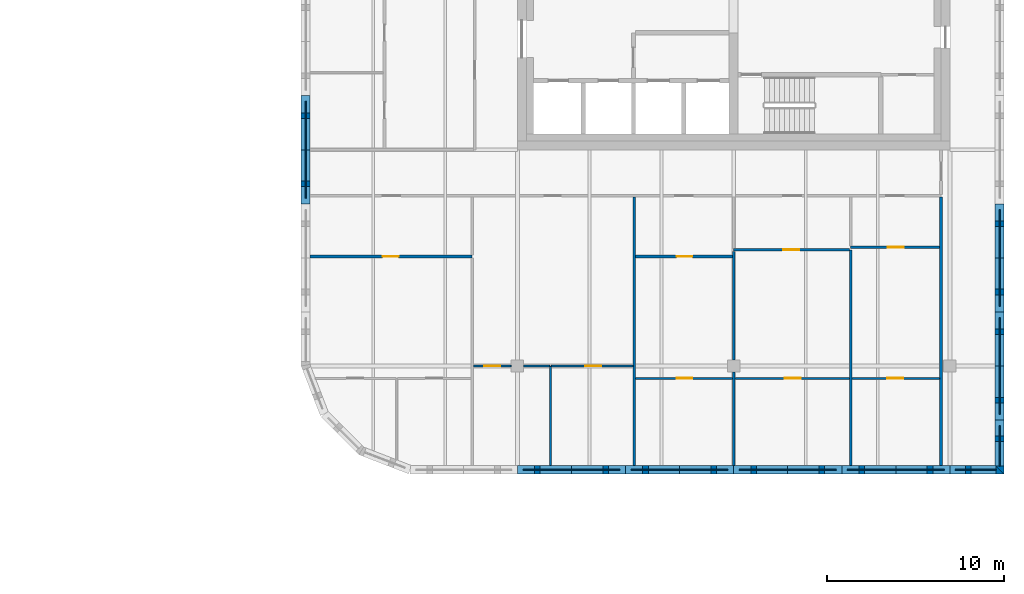
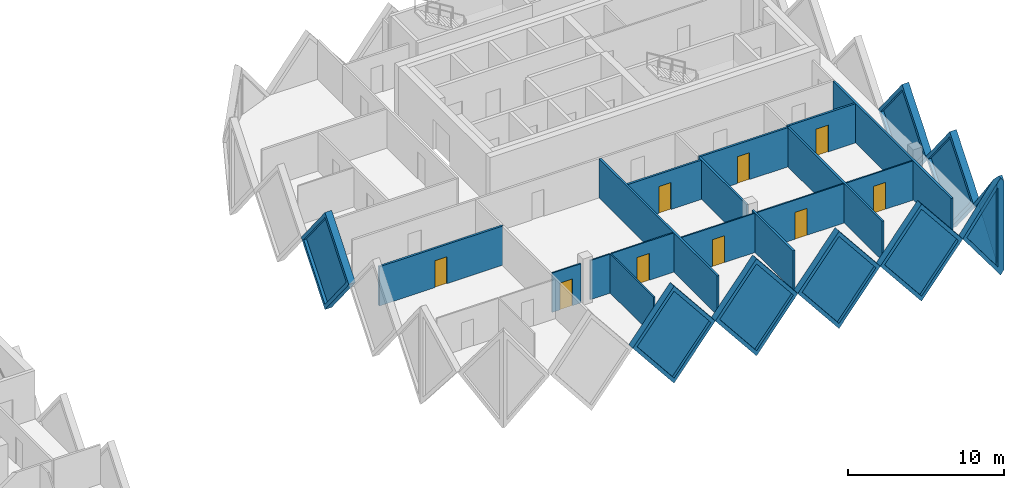
# One storey, part 12 of 18: 25 walls, 9 doors, 9 plates, 18 openings.
"""IFC4 building model written with IfcOpenShell, lengths in metres."""

from ifc_helpers import new_model, si_unit, direction, frame, frame_2d, origin, place, context, subcontext, project, spatial, polyline, rectangle, outline, extrude, faceted_brep, source, transform, mapped, material, layer, layer_set, type_object, element, fill, save


model = new_model("IFC4")

# Units and contexts
model_context = context("Model", 3, precision=1e-05, world=origin(), true_north=direction((0.0, 1.0)))
body_context = subcontext(model_context, "Body", "Model", "MODEL_VIEW")
ifc_project = project(units=[si_unit("LENGTHUNIT", "METRE"), si_unit("AREAUNIT", "SQUARE_METRE"), si_unit("VOLUMEUNIT", "CUBIC_METRE"), si_unit("PLANEANGLEUNIT", "RADIAN"), si_unit("MASSUNIT", "GRAM", prefix="KILO")], contexts=[model_context])

# Site, building, storey
site_placement = place(None, origin())
site = spatial("IfcSite", under=ifc_project, at=site_placement, CompositionType="ELEMENT")
building_placement = place(site_placement, origin())
building = spatial("IfcBuilding", under=site, at=building_placement, Name="Tessera Gate Towers", CompositionType="ELEMENT")
storey_placement = place(building_placement, frame((0.0, 0.0, 99.0)))
storey = spatial("IfcBuildingStorey", under=building, at=storey_placement, Name="L24", CompositionType="ELEMENT", Elevation=99.0)

# Wall
ifc_material_1 = material(Name="Gypsum board on steel studs", Category="steel")
ifc_layer_1 = layer(ifc_material_1, 0.10009765625)
ifc_layer_set_1 = layer_set([ifc_layer_1], Name="PARTITION 100")
wall_type_1 = type_object("IfcWallType", Name="PARTITION 100", PredefinedType="PARTITIONING", material=ifc_layer_set_1)
wall_1_placement = place(storey_placement, frame((99.469970703125, 18.800048828125, 0.0), z_axis=(0.0, 0.0, 1.0), x_axis=(0.0, 1.0, 0.0)))
element("IfcWall", 1, at=wall_1_placement, inside=storey, type_object=wall_type_1, Name="T2-L24-PW-002", PredefinedType="PARTITIONING", context=body_context, shape_type="SweptSolid", body=[
    extrude(rectangle(XDim=5.599853515625, YDim=0.10009765625, at=frame_2d((2.7998046875, 0.0))), origin(), (0.0, 0.0, 1.0), 3.06689453125),
])

# Wall, opening, door
wall_2_placement = place(storey_placement, frame((109.72412109375, 23.699951171875, 0.0), z_axis=(0.0, 0.0, 1.0), x_axis=(-1.0, 0.0, 0.0)))
wall_2 = element("IfcWall", 2, at=wall_2_placement, inside=storey, type_object=wall_type_1, Name="T2-L24-PW-010", PredefinedType="PARTITIONING", context=body_context, shape_type="SweptSolid", body=[
    extrude(rectangle(XDim=5.4482421875, YDim=0.10009765625, at=frame_2d((2.72412109375, 0.0))), origin(), (0.0, 0.0, 1.0), 3.06689453125),
])
shared_shape_1 = source(origin(), body_context, "Body", "SweptSolid", [
    extrude(rectangle(XDim=0.89990234375, YDim=2.10009765625, at=frame_2d((0.449951171875, 1.050048828125))), frame((0.0, 0.06005859375, 0.0), z_axis=(0.0, -1.0, 0.0), x_axis=(1.0, 0.0, 0.0)), (0.0, 0.0, 1.0), 0.1201171875),
])
opening_1_placement = place(wall_2_placement, frame((2.248046875, 0.0, 0.0)))
opening_1 = element("IfcOpeningElement", 3, at=opening_1_placement, cuts=wall_2, Name="Opening D190-B10-10", PredefinedType="OPENING", context=body_context, shape_type="MappedRepresentation", body=[
    mapped(shared_shape_1, transform((0.0, 0.0, 0.0), scale=1.0)),
])
ifc_material_2 = material(Name="Timber door leaf in steel frame", Category="steel")
door_type = type_object("IfcDoorType", Name="INTERNAL DOOR 900 NOT RATED", OperationType="NOTDEFINED", PredefinedType="DOOR", material=ifc_material_2)
shared_shape_2 = source(origin(), body_context, "Body", "SweptSolid", [
    extrude(rectangle(XDim=0.89990234375, YDim=2.10009765625, at=frame_2d((0.449951171875, 1.050048828125))), frame((0.0, 0.02490234375, 0.0), z_axis=(0.0, -1.0, 0.0), x_axis=(1.0, 0.0, 0.0)), (0.0, 0.0, 1.0), 0.050048828125),
])
door_1_placement = place(opening_1_placement, origin())
door_1 = element("IfcDoor", 4, at=door_1_placement, inside=storey, type_object=door_type, Name="T2-L24-PD-012", OperationType="SINGLE_SWING_RIGHT", OverallHeight=2.10009765625, OverallWidth=0.89990234375, PredefinedType="DOOR", context=body_context, shape_type="MappedRepresentation", body=[
    mapped(shared_shape_2, transform((0.0, 0.0, 0.0), scale=1.0)),
])
fill(opening_1, door_1)

wall_3_placement = place(storey_placement, frame((116.323974609375, 23.699951171875, 0.0), z_axis=(0.0, 0.0, 1.0), x_axis=(-1.0, 0.0, 0.0)))
wall_3 = element("IfcWall", 5, at=wall_3_placement, inside=storey, type_object=wall_type_1, Name="T2-L24-PW-011", PredefinedType="PARTITIONING", context=body_context, shape_type="SweptSolid", body=[
    extrude(rectangle(XDim=6.447998046875, YDim=0.10009765625, at=frame_2d((3.22412109375, 0.0))), origin(), (0.0, 0.0, 1.0), 3.06689453125),
])
opening_2_placement = place(wall_3_placement, frame((2.748046875, 0.0, 0.0)))
opening_2 = element("IfcOpeningElement", 6, at=opening_2_placement, cuts=wall_3, Name="Opening D190-B10-11", PredefinedType="OPENING", context=body_context, shape_type="MappedRepresentation", body=[
    mapped(shared_shape_1, transform((0.0, 0.0, 0.0), scale=1.0)),
])
door_2_placement = place(opening_2_placement, origin())
door_2 = element("IfcDoor", 7, at=door_2_placement, inside=storey, type_object=door_type, Name="T2-L24-PD-015", OperationType="SINGLE_SWING_RIGHT", OverallHeight=2.10009765625, OverallWidth=0.89990234375, PredefinedType="DOOR", context=body_context, shape_type="MappedRepresentation", body=[
    mapped(shared_shape_2, transform((0.0, 0.0, 0.0), scale=1.0)),
])
fill(opening_2, door_2)

wall_4_placement = place(storey_placement, frame((121.424072265625, 23.699951171875, 0.0), z_axis=(0.0, 0.0, 1.0), x_axis=(-1.0, 0.0, 0.0)))
wall_4 = element("IfcWall", 8, at=wall_4_placement, inside=storey, type_object=wall_type_1, Name="T2-L24-PW-012", PredefinedType="PARTITIONING", context=body_context, shape_type="SweptSolid", body=[
    extrude(rectangle(XDim=4.947998046875, YDim=0.10009765625, at=frame_2d((2.47412109375, 0.0))), origin(), (0.0, 0.0, 1.0), 3.06689453125),
])
opening_3_placement = place(wall_4_placement, frame((2.048095703125, 0.0, 0.0)))
opening_3 = element("IfcOpeningElement", 9, at=opening_3_placement, cuts=wall_4, Name="Opening D190-B10-07", PredefinedType="OPENING", context=body_context, shape_type="MappedRepresentation", body=[
    mapped(shared_shape_1, transform((0.0, 0.0, 0.0), scale=1.0)),
])
door_3_placement = place(opening_3_placement, origin())
door_3 = element("IfcDoor", 10, at=door_3_placement, inside=storey, type_object=door_type, Name="T2-L24-PD-008", OperationType="SINGLE_SWING_RIGHT", OverallHeight=2.10009765625, OverallWidth=0.89990234375, PredefinedType="DOOR", context=body_context, shape_type="MappedRepresentation", body=[
    mapped(shared_shape_2, transform((0.0, 0.0, 0.0), scale=1.0)),
])
fill(opening_3, door_3)

wall_5_placement = place(storey_placement, frame((97.2490234375, 24.39990234375, 0.0), z_axis=(0.0, 0.0, 1.0), x_axis=(-1.0, 0.0, 0.0)))
wall_5 = element("IfcWall", 11, at=wall_5_placement, inside=storey, type_object=wall_type_1, Name="T2-L24-PW-013", PredefinedType="PARTITIONING", context=body_context, shape_type="SweptSolid", body=[
    extrude(rectangle(XDim=2.123046875, YDim=0.10009765625, at=frame_2d((1.0615234375, 0.0))), origin(), (0.0, 0.0, 1.0), 3.06689453125),
])
opening_4_placement = place(wall_5_placement, frame((0.623046875, 0.0, 0.0)))
opening_4 = element("IfcOpeningElement", 12, at=opening_4_placement, cuts=wall_5, Name="Opening D190-B10-01", PredefinedType="OPENING", context=body_context, shape_type="MappedRepresentation", body=[
    mapped(shared_shape_1, transform((0.0, 0.0, 0.0), scale=1.0)),
])
door_4_placement = place(opening_4_placement, origin())
door_4 = element("IfcDoor", 13, at=door_4_placement, inside=storey, type_object=door_type, Name="T2-L24-PD-001", OperationType="SINGLE_SWING_RIGHT", OverallHeight=2.10009765625, OverallWidth=0.89990234375, PredefinedType="DOOR", context=body_context, shape_type="MappedRepresentation", body=[
    mapped(shared_shape_2, transform((0.0, 0.0, 0.0), scale=1.0)),
])
fill(opening_4, door_4)

# Wall
wall_6_placement = place(storey_placement, frame((97.950927734375, 24.39990234375, 0.0), z_axis=(0.0, 0.0, 1.0), x_axis=(1.0, 0.0, 0.0)))
element("IfcWall", 14, at=wall_6_placement, inside=storey, type_object=wall_type_1, Name="T2-L24-PW-014", PredefinedType="PARTITIONING", context=body_context, shape_type="SweptSolid", body=[
    extrude(rectangle(XDim=1.46826171875, YDim=0.10009765625, at=frame_2d((0.734130859375, 0.0))), origin(), (0.0, 0.0, 1.0), 3.06689453125),
])

# Wall, opening, door
wall_7_placement = place(storey_placement, frame((104.1240234375, 24.39990234375, 0.0), z_axis=(0.0, 0.0, 1.0), x_axis=(-1.0, 0.0, 0.0)))
wall_7 = element("IfcWall", 15, at=wall_7_placement, inside=storey, type_object=wall_type_1, Name="T2-L24-PW-015", PredefinedType="PARTITIONING", context=body_context, shape_type="SweptSolid", body=[
    extrude(rectangle(XDim=4.602783203125, YDim=0.10009765625, at=frame_2d((2.30126953125, 0.0))), origin(), (0.0, 0.0, 1.0), 3.06689453125),
])
opening_5_placement = place(wall_7_placement, frame((1.802734375, 0.0, 0.0)))
opening_5 = element("IfcOpeningElement", 16, at=opening_5_placement, cuts=wall_7, Name="Opening D190-B10-06", PredefinedType="OPENING", context=body_context, shape_type="MappedRepresentation", body=[
    mapped(shared_shape_1, transform((0.0, 0.0, 0.0), scale=1.0)),
])
door_5_placement = place(opening_5_placement, origin())
door_5 = element("IfcDoor", 17, at=door_5_placement, inside=storey, type_object=door_type, Name="T2-L24-PD-006", OperationType="SINGLE_SWING_RIGHT", OverallHeight=2.10009765625, OverallWidth=0.89990234375, PredefinedType="DOOR", context=body_context, shape_type="MappedRepresentation", body=[
    mapped(shared_shape_2, transform((0.0, 0.0, 0.0), scale=1.0)),
])
fill(opening_5, door_5)

# Walls
ifc_material_3 = material(Name="Gypsum board on steel studs, mineral wool", Category="steel")
ifc_layer_2 = layer(ifc_material_3, 0.14990234375)
ifc_layer_set_2 = layer_set([ifc_layer_2], Name="TENANCY WALL 150")
wall_type_2 = type_object("IfcWallType", Name="TENANCY WALL 150", PredefinedType="PARTITIONING", material=ifc_layer_set_2)
wall_8_placement = place(storey_placement, frame((104.199951171875, 18.800048828125, 0.0), z_axis=(0.0, 0.0, 1.0), x_axis=(0.0, 1.0, 0.0)))
element("IfcWall", 18, at=wall_8_placement, inside=storey, type_object=wall_type_2, Name="T2-L24-PW-003", PredefinedType="PARTITIONING", context=body_context, shape_type="SweptSolid", body=[
    extrude(rectangle(XDim=15.1240234375, YDim=0.14990234375, at=frame_2d((7.56201171875, 0.0))), origin(), (0.0, 0.0, 1.0), 3.06689453125),
])
wall_9_placement = place(storey_placement, frame((109.800048828125, 18.800048828125, 0.0), z_axis=(0.0, 0.0, 1.0), x_axis=(0.0, 1.0, 0.0)))
element("IfcWall", 19, at=wall_9_placement, inside=storey, type_object=wall_type_2, Name="T2-L24-PW-004", PredefinedType="PARTITIONING", context=body_context, shape_type="SweptSolid", body=[
    extrude(rectangle(XDim=5.2490234375, YDim=0.14990234375, at=frame_2d((2.62451171875, 0.0))), origin(), (0.0, 0.0, 1.0), 3.06689453125),
])
wall_10_placement = place(storey_placement, frame((116.39990234375, 18.800048828125, 0.0), z_axis=(0.0, 0.0, 1.0), x_axis=(0.0, 1.0, 0.0)))
element("IfcWall", 20, at=wall_10_placement, inside=storey, type_object=wall_type_2, Name="T2-L24-PW-005", PredefinedType="PARTITIONING", context=body_context, shape_type="SweptSolid", body=[
    extrude(rectangle(XDim=12.14990234375, YDim=0.14990234375, at=frame_2d((6.074951171875, 0.0))), origin(), (0.0, 0.0, 1.0), 3.06689453125),
])
wall_11_placement = place(storey_placement, frame((121.5, 18.800048828125, 0.0), z_axis=(0.0, 0.0, 1.0), x_axis=(0.0, 1.0, 0.0)))
element("IfcWall", 21, at=wall_11_placement, inside=storey, type_object=wall_type_2, Name="T2-L24-PW-006", PredefinedType="PARTITIONING", context=body_context, shape_type="SweptSolid", body=[
    extrude(rectangle(XDim=15.1240234375, YDim=0.14990234375, at=frame_2d((7.56201171875, 0.0))), origin(), (0.0, 0.0, 1.0), 3.06689453125),
])
wall_12_placement = place(storey_placement, frame((109.800048828125, 24.7509765625, 0.0), z_axis=(0.0, 0.0, 1.0), x_axis=(0.0, 1.0, 0.0)))
element("IfcWall", 22, at=wall_12_placement, inside=storey, type_object=wall_type_2, Name="T2-L24-PW-016", PredefinedType="PARTITIONING", context=body_context, shape_type="SweptSolid", body=[
    extrude(rectangle(XDim=6.123046875, YDim=0.14990234375, at=frame_2d((3.0615234375, 0.0))), origin(), (0.0, 0.0, 1.0), 3.06689453125),
])

# Wall, opening, door
wall_13_placement = place(storey_placement, frame((95.050048828125, 30.574951171875, 0.0), z_axis=(0.0, 0.0, 1.0), x_axis=(-1.0, 0.0, 0.0)))
wall_13 = element("IfcWall", 23, at=wall_13_placement, inside=storey, type_object=wall_type_2, Name="T2-L24-PW-017", PredefinedType="PARTITIONING", context=body_context, shape_type="SweptSolid", body=[
    extrude(rectangle(XDim=9.150146484375, YDim=0.14990234375, at=frame_2d((4.5751953125, 0.0))), origin(), (0.0, 0.0, 1.0), 3.06689453125),
])
shared_shape_3 = source(origin(), body_context, "Body", "SweptSolid", [
    extrude(rectangle(XDim=0.89990234375, YDim=2.10009765625, at=frame_2d((0.449951171875, 1.050048828125))), frame((0.0, 0.0849609375, 0.0), z_axis=(0.0, -1.0, 0.0), x_axis=(1.0, 0.0, 0.0)), (0.0, 0.0, 1.0), 0.169921875),
])
opening_6_placement = place(wall_13_placement, frame((4.14990234375, 0.0, 0.0)))
opening_6 = element("IfcOpeningElement", 24, at=opening_6_placement, cuts=wall_13, Name="Opening D190-B10-13", PredefinedType="OPENING", context=body_context, shape_type="MappedRepresentation", body=[
    mapped(shared_shape_3, transform((0.0, 0.0, 0.0), scale=1.0)),
])
door_6_placement = place(opening_6_placement, origin())
door_6 = element("IfcDoor", 25, at=door_6_placement, inside=storey, type_object=door_type, Name="T2-L24-PD-019", OperationType="SINGLE_SWING_RIGHT", OverallHeight=2.10009765625, OverallWidth=0.89990234375, PredefinedType="DOOR", context=body_context, shape_type="MappedRepresentation", body=[
    mapped(shared_shape_2, transform((0.0, 0.0, 0.0), scale=1.0)),
])
fill(opening_6, door_6)

wall_14_placement = place(storey_placement, frame((109.72412109375, 30.574951171875, 0.0), z_axis=(0.0, 0.0, 1.0), x_axis=(-1.0, 0.0, 0.0)))
wall_14 = element("IfcWall", 26, at=wall_14_placement, inside=storey, type_object=wall_type_2, Name="T2-L24-PW-018", PredefinedType="PARTITIONING", context=body_context, shape_type="SweptSolid", body=[
    extrude(rectangle(XDim=5.4482421875, YDim=0.14990234375, at=frame_2d((2.72412109375, 0.0))), origin(), (0.0, 0.0, 1.0), 3.06689453125),
])
opening_7_placement = place(wall_14_placement, frame((2.248046875, 0.0, 0.0)))
opening_7 = element("IfcOpeningElement", 27, at=opening_7_placement, cuts=wall_14, Name="Opening D190-B10-09", PredefinedType="OPENING", context=body_context, shape_type="MappedRepresentation", body=[
    mapped(shared_shape_3, transform((0.0, 0.0, 0.0), scale=1.0)),
])
door_7_placement = place(opening_7_placement, origin())
door_7 = element("IfcDoor", 28, at=door_7_placement, inside=storey, type_object=door_type, Name="T2-L24-PD-011", OperationType="SINGLE_SWING_RIGHT", OverallHeight=2.10009765625, OverallWidth=0.89990234375, PredefinedType="DOOR", context=body_context, shape_type="MappedRepresentation", body=[
    mapped(shared_shape_2, transform((0.0, 0.0, 0.0), scale=1.0)),
])
fill(opening_7, door_7)

wall_15_placement = place(storey_placement, frame((116.323974609375, 30.949951171875, 0.0), z_axis=(0.0, 0.0, 1.0), x_axis=(-1.0, 0.0, 0.0)))
wall_15 = element("IfcWall", 29, at=wall_15_placement, inside=storey, type_object=wall_type_2, Name="T2-L24-PW-020", PredefinedType="PARTITIONING", context=body_context, shape_type="SweptSolid", body=[
    extrude(rectangle(XDim=6.52392578125, YDim=0.14990234375, at=frame_2d((3.261962890625, 0.0))), origin(), (0.0, 0.0, 1.0), 3.06689453125),
])
opening_8_placement = place(wall_15_placement, frame((2.823974609375, 0.0, 0.0)))
opening_8 = element("IfcOpeningElement", 30, at=opening_8_placement, cuts=wall_15, Name="Opening D190-B10-12", PredefinedType="OPENING", context=body_context, shape_type="MappedRepresentation", body=[
    mapped(shared_shape_3, transform((0.0, 0.0, 0.0), scale=1.0)),
])
door_8_placement = place(opening_8_placement, origin())
door_8 = element("IfcDoor", 31, at=door_8_placement, inside=storey, type_object=door_type, Name="T2-L24-PD-016", OperationType="SINGLE_SWING_RIGHT", OverallHeight=2.10009765625, OverallWidth=0.89990234375, PredefinedType="DOOR", context=body_context, shape_type="MappedRepresentation", body=[
    mapped(shared_shape_2, transform((0.0, 0.0, 0.0), scale=1.0)),
])
fill(opening_8, door_8)

wall_16_placement = place(storey_placement, frame((121.424072265625, 31.10009765625, 0.0), z_axis=(0.0, 0.0, 1.0), x_axis=(-1.0, 0.0, 0.0)))
wall_16 = element("IfcWall", 32, at=wall_16_placement, inside=storey, type_object=wall_type_2, Name="T2-L24-PW-022", PredefinedType="PARTITIONING", context=body_context, shape_type="SweptSolid", body=[
    extrude(rectangle(XDim=5.024169921875, YDim=0.14990234375, at=frame_2d((2.51220703125, 0.0))), origin(), (0.0, 0.0, 1.0), 3.06689453125),
])
opening_9_placement = place(wall_16_placement, frame((2.02392578125, 0.0, 0.0)))
opening_9 = element("IfcOpeningElement", 33, at=opening_9_placement, cuts=wall_16, Name="Opening D190-B10-08", PredefinedType="OPENING", context=body_context, shape_type="MappedRepresentation", body=[
    mapped(shared_shape_3, transform((0.0, 0.0, 0.0), scale=1.0)),
])
door_9_placement = place(opening_9_placement, origin())
door_9 = element("IfcDoor", 34, at=door_9_placement, inside=storey, type_object=door_type, Name="T2-L24-PD-009", OperationType="SINGLE_SWING_RIGHT", OverallHeight=2.10009765625, OverallWidth=0.89990234375, PredefinedType="DOOR", context=body_context, shape_type="MappedRepresentation", body=[
    mapped(shared_shape_2, transform((0.0, 0.0, 0.0), scale=1.0)),
])
fill(opening_9, door_9)

# Wall, opening, plate
ifc_material_4 = material(Name="Precast concrete C60/75 white", Category="concrete")
ifc_layer_3 = layer(ifc_material_4, 0.5)
ifc_layer_set_3 = layer_set([ifc_layer_3], Name="TS1 tessera")
wall_type_3 = type_object("IfcWallType", Name="TS1 tessera", PredefinedType="SOLIDWALL", material=ifc_layer_set_3)
shared_shape_4 = source(origin(), body_context, "Body", "Brep", [
    faceted_brep([(3.050048828125, -0.25, 0.0), (6.099853515625, -0.25, 3.7998046875), (6.099853515625, -0.25, 3.80029296875), (3.050048828125, -0.25, 7.60009765625), (0.0, -0.25, 3.800048828125), (0.0, 0.25, 3.800048828125), (3.050048828125, 0.25, 7.60009765625), (6.099853515625, 0.25, 3.80029296875), (6.099853515625, 0.25, 3.7998046875), (3.050048828125, 0.25, 0.0)], [[[0, 1, 2, 3, 4]], [[5, 6, 7, 8, 9]], [[9, 8, 1, 0]], [[7, 6, 3, 2]], [[6, 5, 4, 3]], [[5, 9, 0, 4]], [[1, 8, 7, 2]]]),
])
wall_17_placement = place(storey_placement, frame((97.60009765625, 18.550048828125, -3.800048828125), z_axis=(0.0, 0.0, 1.0), x_axis=(1.0, 0.0, 0.0)))
wall_17 = element("IfcWall", 35, at=wall_17_placement, inside=storey, type_object=wall_type_3, Name="Precast tessera T2 TS1-0289", PredefinedType="SOLIDWALL", context=body_context, shape_type="MappedRepresentation", body=[
    mapped(shared_shape_4, transform((0.0, 0.0, 0.0), scale=1.0)),
])
shared_shape_5 = source(origin(), body_context, "Body", "SweptSolid", [
    extrude(outline(polyline([(3.050048828125, 0.3994140625), (5.779541015625, 3.800048828125), (3.050048828125, 7.20068359375), (0.320556640625, 3.800048828125), (3.050048828125, 0.3994140625)])), frame((0.0, 0.260009765625, 0.0), z_axis=(0.0, -1.0, 0.0), x_axis=(1.0, 0.0, 0.0)), (0.0, 0.0, 1.0), 0.52001953125),
])
opening_10_placement = place(wall_17_placement, origin())
opening_10 = element("IfcOpeningElement", 36, at=opening_10_placement, cuts=wall_17, Name="Opening T2-PL2-0545", PredefinedType="OPENING", context=body_context, shape_type="MappedRepresentation", body=[
    mapped(shared_shape_5, transform((0.0, 0.0, 0.0), scale=1.0)),
])
ifc_material_5 = material(Name="Low-e laminated glass", Category="glass")
ifc_layer_4 = layer(ifc_material_5, 0.06005859375)
ifc_layer_set_4 = layer_set([ifc_layer_4], Name="PL2 rhombic pane")
plate_type = type_object("IfcPlateType", Name="PL2 rhombic pane", PredefinedType="SHEET", material=ifc_layer_set_4)
shared_shape_6 = source(origin(), body_context, "Body", "SweptSolid", [
    extrude(outline(polyline([(3.050048828125, 0.3994140625), (5.779541015625, 3.800048828125), (3.050048828125, 7.20068359375), (0.320556640625, 3.800048828125), (3.050048828125, 0.3994140625)])), frame((0.0, 0.030029296875, 0.0), z_axis=(0.0, -1.0, 0.0), x_axis=(1.0, 0.0, 0.0)), (0.0, 0.0, 1.0), 0.06005859375),
])
plate_1_placement = place(opening_10_placement, origin())
plate_1 = element("IfcPlate", 37, at=plate_1_placement, inside=storey, type_object=plate_type, Name="Glass pane T2 PL2-0545", PredefinedType="SHEET", context=body_context, shape_type="MappedRepresentation", body=[
    mapped(shared_shape_6, transform((0.0, 0.0, 0.0), scale=1.0)),
])
fill(opening_10, plate_1)

wall_18_placement = place(storey_placement, frame((109.800048828125, 18.550048828125, -3.800048828125), z_axis=(0.0, 0.0, 1.0), x_axis=(1.0, 0.0, 0.0)))
wall_18 = element("IfcWall", 38, at=wall_18_placement, inside=storey, type_object=wall_type_3, Name="Precast tessera T2 TS1-0291", PredefinedType="SOLIDWALL", context=body_context, shape_type="MappedRepresentation", body=[
    mapped(shared_shape_4, transform((0.0, 0.0, 0.0), scale=1.0)),
])
opening_11_placement = place(wall_18_placement, origin())
opening_11 = element("IfcOpeningElement", 39, at=opening_11_placement, cuts=wall_18, Name="Opening T2-PL2-0547", PredefinedType="OPENING", context=body_context, shape_type="MappedRepresentation", body=[
    mapped(shared_shape_5, transform((0.0, 0.0, 0.0), scale=1.0)),
])
plate_2_placement = place(opening_11_placement, origin())
plate_2 = element("IfcPlate", 40, at=plate_2_placement, inside=storey, type_object=plate_type, Name="Glass pane T2 PL2-0547", PredefinedType="SHEET", context=body_context, shape_type="MappedRepresentation", body=[
    mapped(shared_shape_6, transform((0.0, 0.0, 0.0), scale=1.0)),
])
fill(opening_11, plate_2)

wall_19_placement = place(storey_placement, frame((124.800048828125, 21.35009765625, -3.800048828125), z_axis=(0.0, 0.0, 1.0), x_axis=(0.0, 1.0, 0.0)))
wall_19 = element("IfcWall", 41, at=wall_19_placement, inside=storey, type_object=wall_type_3, Name="Precast tessera T2 TS1-0293", PredefinedType="SOLIDWALL", context=body_context, shape_type="MappedRepresentation", body=[
    mapped(shared_shape_4, transform((0.0, 0.0, 0.0), scale=1.0)),
])
opening_12_placement = place(wall_19_placement, origin())
opening_12 = element("IfcOpeningElement", 42, at=opening_12_placement, cuts=wall_19, Name="Opening T2-PL2-0551", PredefinedType="OPENING", context=body_context, shape_type="MappedRepresentation", body=[
    mapped(shared_shape_5, transform((0.0, 0.0, 0.0), scale=1.0)),
])
plate_3_placement = place(opening_12_placement, origin())
plate_3 = element("IfcPlate", 43, at=plate_3_placement, inside=storey, type_object=plate_type, Name="Glass pane T2 PL2-0551", PredefinedType="SHEET", context=body_context, shape_type="MappedRepresentation", body=[
    mapped(shared_shape_6, transform((0.0, 0.0, 0.0), scale=1.0)),
])
fill(opening_12, plate_3)

wall_20_placement = place(storey_placement, frame((85.64990234375, 39.64990234375, -3.800048828125), z_axis=(0.0, 0.0, 1.0), x_axis=(0.0, -1.0, 0.0)))
wall_20 = element("IfcWall", 44, at=wall_20_placement, inside=storey, type_object=wall_type_3, Name="Precast tessera T2 TS1-0304", PredefinedType="SOLIDWALL", context=body_context, shape_type="MappedRepresentation", body=[
    mapped(shared_shape_4, transform((0.0, 0.0, 0.0), scale=1.0)),
])
opening_13_placement = place(wall_20_placement, origin())
opening_13 = element("IfcOpeningElement", 45, at=opening_13_placement, cuts=wall_20, Name="Opening T2-PL2-0568", PredefinedType="OPENING", context=body_context, shape_type="MappedRepresentation", body=[
    mapped(shared_shape_5, transform((0.0, 0.0, 0.0), scale=1.0)),
])
plate_4_placement = place(opening_13_placement, origin())
plate_4 = element("IfcPlate", 46, at=plate_4_placement, inside=storey, type_object=plate_type, Name="Glass pane T2 PL2-0568", PredefinedType="SHEET", context=body_context, shape_type="MappedRepresentation", body=[
    mapped(shared_shape_6, transform((0.0, 0.0, 0.0), scale=1.0)),
])
fill(opening_13, plate_4)

shared_shape_7 = source(origin(), body_context, "Body", "SweptSolid", [
    extrude(outline(polyline([(3.050048828125, 0.0), (6.10009765625, 3.800048828125), (3.050048828125, 7.60009765625), (0.0, 3.800048828125), (3.050048828125, 0.0)])), frame((0.0, 0.25, 0.0), z_axis=(0.0, -1.0, 0.0), x_axis=(1.0, 0.0, 0.0)), (0.0, 0.0, 1.0), 0.5),
])
wall_21_placement = place(storey_placement, frame((103.699951171875, 18.550048828125, -3.800048828125), z_axis=(0.0, 0.0, 1.0), x_axis=(1.0, 0.0, 0.0)))
wall_21 = element("IfcWall", 47, at=wall_21_placement, inside=storey, type_object=wall_type_3, Name="Precast tessera T2 TS1-0290", PredefinedType="SOLIDWALL", context=body_context, shape_type="MappedRepresentation", body=[
    mapped(shared_shape_7, transform((0.0, 0.0, 0.0), scale=1.0)),
])
opening_14_placement = place(wall_21_placement, origin())
opening_14 = element("IfcOpeningElement", 48, at=opening_14_placement, cuts=wall_21, Name="Opening T2-PL2-0546", PredefinedType="OPENING", context=body_context, shape_type="MappedRepresentation", body=[
    mapped(shared_shape_5, transform((0.0, 0.0, 0.0), scale=1.0)),
])
plate_5_placement = place(opening_14_placement, origin())
plate_5 = element("IfcPlate", 49, at=plate_5_placement, inside=storey, type_object=plate_type, Name="Glass pane T2 PL2-0546", PredefinedType="SHEET", context=body_context, shape_type="MappedRepresentation", body=[
    mapped(shared_shape_6, transform((0.0, 0.0, 0.0), scale=1.0)),
])
fill(opening_14, plate_5)

wall_22_placement = place(storey_placement, frame((115.89990234375, 18.550048828125, -3.800048828125), z_axis=(0.0, 0.0, 1.0), x_axis=(1.0, 0.0, 0.0)))
wall_22 = element("IfcWall", 50, at=wall_22_placement, inside=storey, type_object=wall_type_3, Name="Precast tessera T2 TS1-0292", PredefinedType="SOLIDWALL", context=body_context, shape_type="MappedRepresentation", body=[
    mapped(shared_shape_7, transform((0.0, 0.0, 0.0), scale=1.0)),
])
opening_15_placement = place(wall_22_placement, origin())
opening_15 = element("IfcOpeningElement", 51, at=opening_15_placement, cuts=wall_22, Name="Opening T2-PL2-0548", PredefinedType="OPENING", context=body_context, shape_type="MappedRepresentation", body=[
    mapped(shared_shape_5, transform((0.0, 0.0, 0.0), scale=1.0)),
])
plate_6_placement = place(opening_15_placement, origin())
plate_6 = element("IfcPlate", 52, at=plate_6_placement, inside=storey, type_object=plate_type, Name="Glass pane T2 PL2-0548", PredefinedType="SHEET", context=body_context, shape_type="MappedRepresentation", body=[
    mapped(shared_shape_6, transform((0.0, 0.0, 0.0), scale=1.0)),
])
fill(opening_15, plate_6)

wall_23_placement = place(storey_placement, frame((124.800048828125, 27.449951171875, -3.800048828125), z_axis=(0.0, 0.0, 1.0), x_axis=(0.0, 1.0, 0.0)))
wall_23 = element("IfcWall", 53, at=wall_23_placement, inside=storey, type_object=wall_type_3, Name="Precast tessera T2 TS1-0294", PredefinedType="SOLIDWALL", context=body_context, shape_type="MappedRepresentation", body=[
    mapped(shared_shape_7, transform((0.0, 0.0, 0.0), scale=1.0)),
])
opening_16_placement = place(wall_23_placement, origin())
opening_16 = element("IfcOpeningElement", 54, at=opening_16_placement, cuts=wall_23, Name="Opening T2-PL2-0552", PredefinedType="OPENING", context=body_context, shape_type="MappedRepresentation", body=[
    mapped(shared_shape_5, transform((0.0, 0.0, 0.0), scale=1.0)),
])
plate_7_placement = place(opening_16_placement, origin())
plate_7 = element("IfcPlate", 55, at=plate_7_placement, inside=storey, type_object=plate_type, Name="Glass pane T2 PL2-0552", PredefinedType="SHEET", context=body_context, shape_type="MappedRepresentation", body=[
    mapped(shared_shape_6, transform((0.0, 0.0, 0.0), scale=1.0)),
])
fill(opening_16, plate_7)

ifc_material_6 = material(Name="Precast concrete C60/75 white", Category="concrete")
ifc_layer_5 = layer(ifc_material_6, 0.5)
ifc_layer_set_5 = layer_set([ifc_layer_5], Name="TS3 corner tessera")
wall_type_4 = type_object("IfcWallType", Name="TS3 corner tessera", PredefinedType="SOLIDWALL", material=ifc_layer_set_5)
shared_shape_8 = source(origin(), body_context, "Body", "Brep", [
    faceted_brep([(2.800048828125, -0.25, 0.0), (3.050048828125, -0.25, 0.339111328125), (3.050048828125, -0.25, 7.260986328125), (2.800048828125, -0.25, 7.60009765625), (0.0, -0.25, 3.800048828125), (0.0, 0.25, 3.800048828125), (2.550048828125, 0.25, 7.2607421875), (2.550048828125, 0.25, 0.33935546875), (2.800048828125, 0.0, 0.0), (2.800048828125, 0.0, 7.60009765625)], [[[0, 1, 2, 3, 4]], [[5, 6, 7]], [[1, 0, 8]], [[9, 3, 2]], [[6, 5, 4, 3, 9]], [[5, 7, 8, 0, 4]], [[1, 8, 7, 6, 9, 2]]]),
])
wall_24_placement = place(storey_placement, frame((122.0, 18.550048828125, -3.800048828125), z_axis=(0.0, 0.0, 1.0), x_axis=(1.0, 0.0, 0.0)))
wall_24 = element("IfcWall", 56, at=wall_24_placement, inside=storey, type_object=wall_type_4, Name="Precast corner tessera T2 TS3-0361", PredefinedType="SOLIDWALL", context=body_context, shape_type="MappedRepresentation", body=[
    mapped(shared_shape_8, transform((0.0, 0.0, 0.0), scale=1.0)),
])
shared_shape_9 = source(origin(), body_context, "Body", "SweptSolid", [
    extrude(outline(polyline([(2.60009765625, 6.9072265625), (0.310546875, 3.800048828125), (2.60009765625, 0.69287109375), (2.60009765625, 6.9072265625)])), frame((0.0, 0.260009765625, 0.0), z_axis=(0.0, -1.0, 0.0), x_axis=(1.0, 0.0, 0.0)), (0.0, 0.0, 1.0), 0.52001953125),
])
opening_17_placement = place(wall_24_placement, origin())
opening_17 = element("IfcOpeningElement", 57, at=opening_17_placement, cuts=wall_24, Name="Opening T2-PL2-0549", PredefinedType="OPENING", context=body_context, shape_type="MappedRepresentation", body=[
    mapped(shared_shape_9, transform((0.0, 0.0, 0.0), scale=1.0)),
])
shared_shape_10 = source(origin(), body_context, "Body", "SweptSolid", [
    extrude(outline(polyline([(2.60009765625, 6.9072265625), (0.310546875, 3.800048828125), (2.60009765625, 0.69287109375), (2.60009765625, 6.9072265625)])), frame((0.0, 0.030029296875, 0.0), z_axis=(0.0, -1.0, 0.0), x_axis=(1.0, 0.0, 0.0)), (0.0, 0.0, 1.0), 0.06005859375),
])
plate_8_placement = place(opening_17_placement, origin())
plate_8 = element("IfcPlate", 58, at=plate_8_placement, inside=storey, type_object=plate_type, Name="Glass pane T2 PL2-0549", PredefinedType="SHEET", context=body_context, shape_type="MappedRepresentation", body=[
    mapped(shared_shape_10, transform((0.0, 0.0, 0.0), scale=1.0)),
])
fill(opening_17, plate_8)

shared_shape_11 = source(origin(), body_context, "Body", "Brep", [
    faceted_brep([(0.25, -0.25, 0.0), (3.050048828125, -0.25, 3.800048828125), (0.25, -0.25, 7.60009765625), (0.0, -0.25, 7.2607421875), (0.0, -0.25, 0.33935546875), (0.5, 0.25, 7.2607421875), (3.050048828125, 0.25, 3.800048828125), (0.5, 0.25, 0.33935546875), (0.25, 0.0, 0.0), (0.25, 0.0, 7.60009765625)], [[[0, 1, 2, 3, 4]], [[5, 6, 7]], [[7, 6, 1, 0, 8]], [[6, 5, 9, 2, 1]], [[3, 2, 9]], [[8, 0, 4]], [[7, 8, 4, 3, 9, 5]]]),
])
wall_25_placement = place(storey_placement, frame((124.800048828125, 18.300048828125, -3.800048828125), z_axis=(0.0, 0.0, 1.0), x_axis=(0.0, 1.0, 0.0)))
wall_25 = element("IfcWall", 59, at=wall_25_placement, inside=storey, type_object=wall_type_4, Name="Precast corner tessera T2 TS3-0362", PredefinedType="SOLIDWALL", context=body_context, shape_type="MappedRepresentation", body=[
    mapped(shared_shape_11, transform((0.0, 0.0, 0.0), scale=1.0)),
])
shared_shape_12 = source(origin(), body_context, "Body", "SweptSolid", [
    extrude(outline(polyline([(0.449951171875, 0.69287109375), (2.739501953125, 3.800048828125), (0.449951171875, 6.9072265625), (0.449951171875, 0.69287109375)])), frame((0.0, 0.260009765625, 0.0), z_axis=(0.0, -1.0, 0.0), x_axis=(1.0, 0.0, 0.0)), (0.0, 0.0, 1.0), 0.52001953125),
])
opening_18_placement = place(wall_25_placement, origin())
opening_18 = element("IfcOpeningElement", 60, at=opening_18_placement, cuts=wall_25, Name="Opening T2-PL2-0550", PredefinedType="OPENING", context=body_context, shape_type="MappedRepresentation", body=[
    mapped(shared_shape_12, transform((0.0, 0.0, 0.0), scale=1.0)),
])
shared_shape_13 = source(origin(), body_context, "Body", "SweptSolid", [
    extrude(outline(polyline([(0.449951171875, 0.69287109375), (2.739501953125, 3.800048828125), (0.449951171875, 6.9072265625), (0.449951171875, 0.69287109375)])), frame((0.0, 0.030029296875, 0.0), z_axis=(0.0, -1.0, 0.0), x_axis=(1.0, 0.0, 0.0)), (0.0, 0.0, 1.0), 0.06005859375),
])
plate_9_placement = place(opening_18_placement, origin())
plate_9 = element("IfcPlate", 61, at=plate_9_placement, inside=storey, type_object=plate_type, Name="Glass pane T2 PL2-0550", PredefinedType="SHEET", context=body_context, shape_type="MappedRepresentation", body=[
    mapped(shared_shape_13, transform((0.0, 0.0, 0.0), scale=1.0)),
])
fill(opening_18, plate_9)

save(model, "model.ifc")
